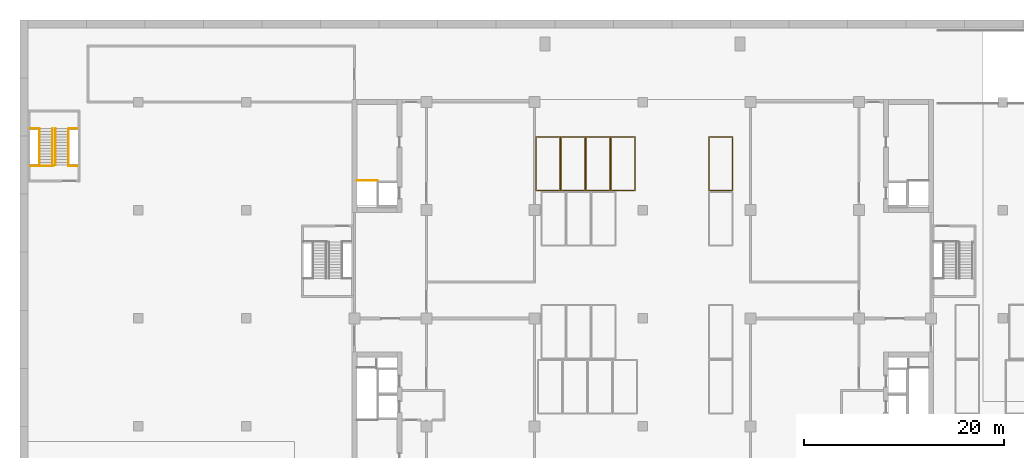
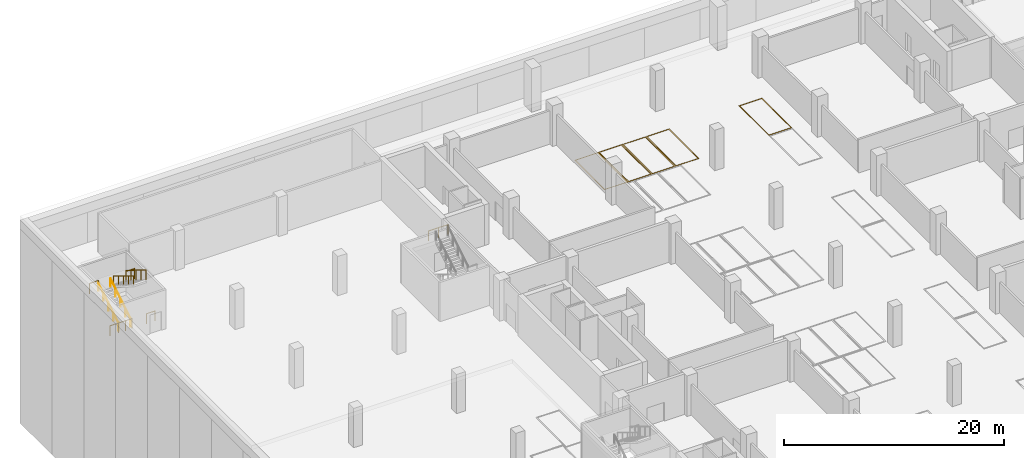
# One storey, part 17 of 18: 10 railings, 5 coverings.
"""IFC4 building model written with IfcOpenShell, lengths in metres."""

from ifc_helpers import new_model, si_unit, direction, frame, origin, origin_2d, place, context, subcontext, project, spatial, polyline, circle, outline, extrude, material, layer, layer_set, type_object, element, save


model = new_model("IFC4")

# Units and contexts
model_context = context("Model", 3, precision=1e-05, world=origin(), true_north=direction((0.0, 1.0)))
body_context = subcontext(model_context, "Body", "Model", "MODEL_VIEW")
ifc_project = project(units=[si_unit("LENGTHUNIT", "METRE"), si_unit("AREAUNIT", "SQUARE_METRE"), si_unit("VOLUMEUNIT", "CUBIC_METRE"), si_unit("PLANEANGLEUNIT", "RADIAN"), si_unit("MASSUNIT", "GRAM", prefix="KILO")], contexts=[model_context])

# Site, building, storey
site_placement = place(None, origin())
site = spatial("IfcSite", under=ifc_project, at=site_placement, CompositionType="ELEMENT")
building_placement = place(site_placement, origin())
building = spatial("IfcBuilding", under=site, at=building_placement, Name="Basin Gate Institute", CompositionType="ELEMENT")
storey_placement = place(building_placement, frame((0.0, 0.0, -4.800048828125)))
storey = spatial("IfcBuildingStorey", under=building, at=storey_placement, Name="B1", CompositionType="ELEMENT", Elevation=-4.800048828125)

# Railing
ifc_material_1 = material(Name="Galvanised steel tube and mesh infill", Category="steel")
railing_type_1 = type_object("IfcRailingType", Name="Duct opening guard RL-D", PredefinedType="GUARDRAIL", material=ifc_material_1)
railing_1_placement = place(storey_placement, frame((61.449951171875, 92.06005859375, 0.0)))
element("IfcRailing", 1, at=railing_1_placement, inside=storey, type_object=railing_type_1, material=ifc_material_1, Name="Riser opening guard RL-D WN A", PredefinedType="GUARDRAIL", context=body_context, shape_type="SweptSolid", body=[
    extrude(circle(Radius=0.02392578125, at=origin_2d()), frame((0.0, 0.0, 1.076171875), z_axis=(1.0, 0.0, 0.0), x_axis=(0.0, 1.0, 0.0)), (0.0, 0.0, 1.0), 2.050048828125),
    extrude(circle(Radius=0.02099609375, at=origin_2d()), origin(), (0.0, 0.0, 1.0), 1.052001953125),
    extrude(circle(Radius=0.02099609375, at=origin_2d()), frame((1.02490234375, 0.0, 0.0)), (0.0, 0.0, 1.0), 1.052001953125),
    extrude(circle(Radius=0.02099609375, at=origin_2d()), frame((2.050048828125, 0.0, 0.0)), (0.0, 0.0, 1.0), 1.052001953125),
])

# Coverings
ifc_material_2 = material(Name="Road marking paint, white")
ifc_layer = layer(ifc_material_2, 0.010009765625)
ifc_layer_set = layer_set([ifc_layer], Name="Parking bay marking PM1")
covering_type = type_object("IfcCoveringType", Name="Parking bay marking PM1", PredefinedType="FLOORING", material=ifc_layer_set)
covering_1_placement = place(storey_placement, origin())
element("IfcCovering", 2, at=covering_1_placement, inside=storey, type_object=covering_type, material=ifc_layer_set, Name="Parking bay marking B1-03 50", PredefinedType="FLOORING", context=body_context, shape_type="SweptSolid", body=[
    extrude(outline(polyline([(96.570068359375, 91.02001953125), (99.030029296875, 91.02001953125), (99.030029296875, 96.47998046875), (96.570068359375, 96.47998046875), (96.570068359375, 91.02001953125)]), holes=[polyline([(96.669921875, 91.1201171875), (98.929931640625, 91.1201171875), (98.929931640625, 96.3798828125), (96.669921875, 96.3798828125), (96.669921875, 91.1201171875)])]), origin(), (0.0, 0.0, 1.0), 0.010009765625),
])
covering_2_placement = place(storey_placement, origin())
element("IfcCovering", 3, at=covering_2_placement, inside=storey, type_object=covering_type, material=ifc_layer_set, Name="Parking bay marking B1-02 74", PredefinedType="FLOORING", context=body_context, shape_type="SweptSolid", body=[
    extrude(outline(polyline([(79.320068359375, 91.02001953125), (81.780029296875, 91.02001953125), (81.780029296875, 96.47998046875), (79.320068359375, 96.47998046875), (79.320068359375, 91.02001953125)]), holes=[polyline([(79.419921875, 91.1201171875), (81.679931640625, 91.1201171875), (81.679931640625, 96.3798828125), (79.419921875, 96.3798828125), (79.419921875, 91.1201171875)])]), origin(), (0.0, 0.0, 1.0), 0.010009765625),
])
covering_3_placement = place(storey_placement, origin())
element("IfcCovering", 4, at=covering_3_placement, inside=storey, type_object=covering_type, material=ifc_layer_set, Name="Parking bay marking B1-02 75", PredefinedType="FLOORING", context=body_context, shape_type="SweptSolid", body=[
    extrude(outline(polyline([(81.820068359375, 91.02001953125), (84.280029296875, 91.02001953125), (84.280029296875, 96.47998046875), (81.820068359375, 96.47998046875), (81.820068359375, 91.02001953125)]), holes=[polyline([(81.919921875, 91.1201171875), (84.179931640625, 91.1201171875), (84.179931640625, 96.3798828125), (81.919921875, 96.3798828125), (81.919921875, 91.1201171875)])]), origin(), (0.0, 0.0, 1.0), 0.010009765625),
])
covering_4_placement = place(storey_placement, origin())
element("IfcCovering", 5, at=covering_4_placement, inside=storey, type_object=covering_type, material=ifc_layer_set, Name="Parking bay marking B1-02 76", PredefinedType="FLOORING", context=body_context, shape_type="SweptSolid", body=[
    extrude(outline(polyline([(84.320068359375, 91.02001953125), (86.780029296875, 91.02001953125), (86.780029296875, 96.47998046875), (84.320068359375, 96.47998046875), (84.320068359375, 91.02001953125)]), holes=[polyline([(84.419921875, 91.1201171875), (86.679931640625, 91.1201171875), (86.679931640625, 96.3798828125), (84.419921875, 96.3798828125), (84.419921875, 91.1201171875)])]), origin(), (0.0, 0.0, 1.0), 0.010009765625),
])
covering_5_placement = place(storey_placement, origin())
element("IfcCovering", 6, at=covering_5_placement, inside=storey, type_object=covering_type, material=ifc_layer_set, Name="Parking bay marking B1-02 77", PredefinedType="FLOORING", context=body_context, shape_type="SweptSolid", body=[
    extrude(outline(polyline([(86.820068359375, 91.02001953125), (89.280029296875, 91.02001953125), (89.280029296875, 96.47998046875), (86.820068359375, 96.47998046875), (86.820068359375, 91.02001953125)]), holes=[polyline([(86.919921875, 91.1201171875), (89.179931640625, 91.1201171875), (89.179931640625, 96.3798828125), (86.919921875, 96.3798828125), (86.919921875, 91.1201171875)])]), origin(), (0.0, 0.0, 1.0), 0.010009765625),
])

# Railings
ifc_material_3 = material(Name="Stainless steel", Category="steel")
railing_type_2 = type_object("IfcRailingType", Name="Stair guard GR1", PredefinedType="GUARDRAIL", material=ifc_material_3)
railing_2_placement = place(storey_placement, frame((29.75, 93.52001953125, 0.0)))
element("IfcRailing", 7, at=railing_2_placement, inside=storey, type_object=railing_type_2, material=ifc_material_3, Name="Stair guard GR1 BS5 GD4-B2", PredefinedType="GUARDRAIL", context=body_context, shape_type="SweptSolid", body=[
    extrude(circle(Radius=0.02392578125, at=origin_2d()), frame((0.0, 0.0, 1.076171875), z_axis=(1.0, 0.0, 0.0), x_axis=(0.0, 1.0, 0.0)), (0.0, 0.0, 1.0), 1.39990234375),
    extrude(circle(Radius=0.02099609375, at=origin_2d()), origin(), (0.0, 0.0, 1.0), 1.052001953125),
    extrude(circle(Radius=0.02099609375, at=origin_2d()), frame((0.699951171875, 0.0, 0.0)), (0.0, 0.0, 1.0), 1.052001953125),
    extrude(circle(Radius=0.02099609375, at=origin_2d()), frame((1.39990234375, 0.0, 0.0)), (0.0, 0.0, 1.0), 1.052001953125),
])
railing_3_placement = place(storey_placement, frame((28.830078125, 93.52001953125, 0.0)))
element("IfcRailing", 8, at=railing_3_placement, inside=storey, type_object=railing_type_2, material=ifc_material_3, Name="Stair guard GR1 BS5 GD4b-B2", PredefinedType="GUARDRAIL", context=body_context, shape_type="SweptSolid", body=[
    extrude(circle(Radius=0.02392578125, at=origin_2d()), frame((0.0, 0.0, 1.076171875), z_axis=(1.0, 0.0, 0.0), x_axis=(0.0, 1.0, 0.0)), (0.0, 0.0, 1.0), 0.919921875),
    extrude(circle(Radius=0.02099609375, at=origin_2d()), origin(), (0.0, 0.0, 1.0), 1.052001953125),
    extrude(circle(Radius=0.02099609375, at=origin_2d()), frame((0.919921875, 0.0, 0.0)), (0.0, 0.0, 1.0), 1.052001953125),
])
railing_4_placement = place(storey_placement, frame((32.64990234375, 93.52001953125, 0.0)))
element("IfcRailing", 9, at=railing_4_placement, inside=storey, type_object=railing_type_2, material=ifc_material_3, Name="Stair guard GR1 BS5 GD5-B2", PredefinedType="GUARDRAIL", context=body_context, shape_type="SweptSolid", body=[
    extrude(circle(Radius=0.02392578125, at=origin_2d()), frame((0.0, 0.0, 1.076171875), z_axis=(1.0, 0.0, 0.0), x_axis=(0.0, 1.0, 0.0)), (0.0, 0.0, 1.0), 0.900146484375),
    extrude(circle(Radius=0.02099609375, at=origin_2d()), origin(), (0.0, 0.0, 1.0), 1.052001953125),
    extrude(circle(Radius=0.02099609375, at=origin_2d()), frame((0.900146484375, 0.0, 0.0)), (0.0, 0.0, 1.0), 1.052001953125),
])
railing_5_placement = place(storey_placement, frame((32.64990234375, 97.239990234375, 2.571533203125)))
element("IfcRailing", 10, at=railing_5_placement, inside=storey, type_object=railing_type_2, material=ifc_material_3, Name="Stair guard GR1 BS5 GD1", PredefinedType="GUARDRAIL", context=body_context, shape_type="SweptSolid", body=[
    extrude(circle(Radius=0.02392578125, at=origin_2d()), frame((0.0, 0.0, 1.076171875), z_axis=(0.0, -0.852850264322, 0.5221555579), x_axis=(1.0, 0.0, 0.0)), (0.0, 0.0, 1.0), 4.267822265625),
    extrude(circle(Radius=0.02099609375, at=origin_2d()), origin(), (0.0, 0.0, 1.0), 1.052001953125),
    extrude(circle(Radius=0.02099609375, at=origin_2d()), frame((0.0, -0.909912109375, 0.55712890625)), (0.0, 0.0, 1.0), 1.052001953125),
    extrude(circle(Radius=0.02099609375, at=origin_2d()), frame((0.0, -1.81982421875, 1.1142578125)), (0.0, 0.0, 1.0), 1.052001953125),
    extrude(circle(Radius=0.02099609375, at=origin_2d()), frame((0.0, -2.72998046875, 1.67138671875)), (0.0, 0.0, 1.0), 1.052001953125),
    extrude(circle(Radius=0.02099609375, at=origin_2d()), frame((0.0, -3.639892578125, 2.228515625)), (0.0, 0.0, 1.0), 1.052001953125),
])
ifc_material_4 = material(Name="Stainless steel", Category="steel")
railing_type_3 = type_object("IfcRailingType", Name="Stair guard GR3", PredefinedType="GUARDRAIL", material=ifc_material_4)
railing_6_placement = place(storey_placement, frame((32.64990234375, 97.239990234375, 2.400146484375)))
element("IfcRailing", 11, at=railing_6_placement, inside=storey, type_object=railing_type_3, material=ifc_material_4, Name="Stair guard GR3 BS5 GD2", PredefinedType="GUARDRAIL", context=body_context, shape_type="SweptSolid", body=[
    extrude(circle(Radius=0.02392578125, at=origin_2d()), frame((0.0, 0.0, 1.1259765625), z_axis=(1.0, 0.0, 0.0), x_axis=(0.0, 1.0, 0.0)), (0.0, 0.0, 1.0), 0.920166015625),
    extrude(circle(Radius=0.02099609375, at=origin_2d()), origin(), (0.0, 0.0, 1.0), 1.101806640625),
    extrude(circle(Radius=0.02099609375, at=origin_2d()), frame((0.920166015625, 0.0, 0.0)), (0.0, 0.0, 1.0), 1.101806640625),
])
railing_7_placement = place(storey_placement, frame((28.830078125, 97.239990234375, 2.400146484375)))
element("IfcRailing", 12, at=railing_7_placement, inside=storey, type_object=railing_type_3, material=ifc_material_4, Name="Stair guard GR3 BS5 GD2b", PredefinedType="GUARDRAIL", context=body_context, shape_type="SweptSolid", body=[
    extrude(circle(Radius=0.02392578125, at=origin_2d()), frame((0.0, 0.0, 1.1259765625), z_axis=(1.0, 0.0, 0.0), x_axis=(0.0, 1.0, 0.0)), (0.0, 0.0, 1.0), 0.919921875),
    extrude(circle(Radius=0.02099609375, at=origin_2d()), origin(), (0.0, 0.0, 1.0), 1.101806640625),
    extrude(circle(Radius=0.02099609375, at=origin_2d()), frame((0.919921875, 0.0, 0.0)), (0.0, 0.0, 1.0), 1.101806640625),
])
ifc_material_5 = material(Name="Stainless steel", Category="steel")
railing_type_4 = type_object("IfcRailingType", Name="Stair handrail HR1", PredefinedType="HANDRAIL", material=ifc_material_5)
for number, where, name in (
    (13, (29.75, 93.60009765625, 0.17138671875), "Stair handrail HR1 BS5 HR1"),
    (14, (31.050048828125, 93.60009765625, 0.17138671875), "Stair handrail HR1 BS5 HR2"),
):
    element("IfcRailing", number, at=place(storey_placement, frame(where)), inside=storey, type_object=railing_type_4, material=ifc_material_5, Name=name, PredefinedType="HANDRAIL", context=body_context, shape_type="SweptSolid", body=[
        extrude(circle(Radius=0.02392578125, at=origin_2d()), frame((0.0, 0.0, 0.89599609375), z_axis=(0.0, 0.852824790078, 0.522197163366), x_axis=(-1.0, 0.0, 0.0)), (0.0, 0.0, 1.0), 4.26806640625),
        extrude(circle(Radius=0.02099609375, at=origin_2d()), origin(), (0.0, 0.0, 1.0), 0.871826171875),
        extrude(circle(Radius=0.02099609375, at=origin_2d()), frame((0.0, 0.909912109375, 0.55712890625)), (0.0, 0.0, 1.0), 0.871826171875),
        extrude(circle(Radius=0.02099609375, at=origin_2d()), frame((0.0, 1.81982421875, 1.1142578125)), (0.0, 0.0, 1.0), 0.871826171875),
        extrude(circle(Radius=0.02099609375, at=origin_2d()), frame((0.0, 2.72998046875, 1.671630859375)), (0.0, 0.0, 1.0), 0.871826171875),
        extrude(circle(Radius=0.02099609375, at=origin_2d()), frame((0.0, 3.639892578125, 2.228759765625)), (0.0, 0.0, 1.0), 0.871826171875),
    ])
railing_8_placement = place(storey_placement, frame((31.35009765625, 97.239990234375, 2.571533203125)))
element("IfcRailing", 15, at=railing_8_placement, inside=storey, type_object=railing_type_4, material=ifc_material_5, Name="Stair handrail HR1 BS5 HR3", PredefinedType="HANDRAIL", context=body_context, shape_type="SweptSolid", body=[
    extrude(circle(Radius=0.02392578125, at=origin_2d()), frame((0.0, 0.0, 0.89599609375), z_axis=(0.0, -0.852850264322, 0.5221555579), x_axis=(1.0, 0.0, 0.0)), (0.0, 0.0, 1.0), 4.267822265625),
    extrude(circle(Radius=0.02099609375, at=origin_2d()), origin(), (0.0, 0.0, 1.0), 0.871826171875),
    extrude(circle(Radius=0.02099609375, at=origin_2d()), frame((0.0, -0.909912109375, 0.55712890625)), (0.0, 0.0, 1.0), 0.871826171875),
    extrude(circle(Radius=0.02099609375, at=origin_2d()), frame((0.0, -1.81982421875, 1.1142578125)), (0.0, 0.0, 1.0), 0.871826171875),
    extrude(circle(Radius=0.02099609375, at=origin_2d()), frame((0.0, -2.72998046875, 1.67138671875)), (0.0, 0.0, 1.0), 0.871826171875),
    extrude(circle(Radius=0.02099609375, at=origin_2d()), frame((0.0, -3.639892578125, 2.228515625)), (0.0, 0.0, 1.0), 0.871826171875),
])

save(model, "model.ifc")
